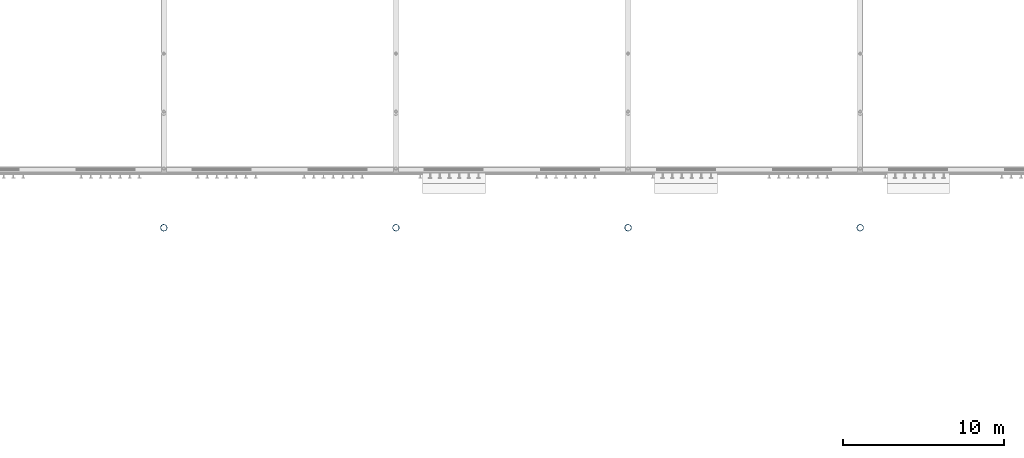
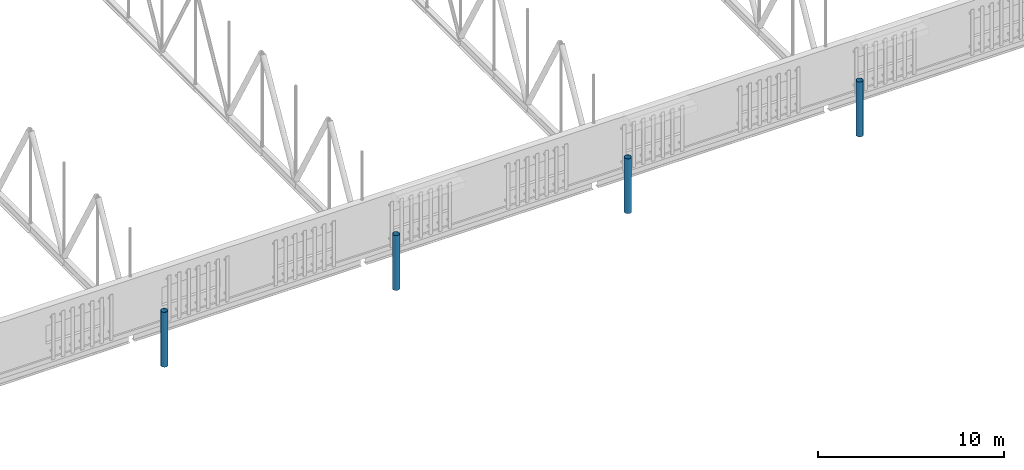
# One storey, part 15 of 142: 4 columns.
"""IFC4 building model written with IfcOpenShell, lengths in metres."""

from ifc_helpers import new_model, si_unit, direction, frame, origin, origin_2d, place, context, subcontext, project, spatial, hollow_circle, extrude, material, material_profile, profile_set, type_object, element, save


model = new_model("IFC4")

# Units and contexts
model_context = context("Model", 3, precision=1e-05, world=origin(), true_north=direction((0.0, 1.0)))
body_context = subcontext(model_context, "Body", "Model", "MODEL_VIEW")
ifc_project = project(units=[si_unit("LENGTHUNIT", "METRE"), si_unit("AREAUNIT", "SQUARE_METRE"), si_unit("VOLUMEUNIT", "CUBIC_METRE"), si_unit("PLANEANGLEUNIT", "RADIAN"), si_unit("MASSUNIT", "GRAM", prefix="KILO")], contexts=[model_context])

# Site, building, storey
site_placement = place(None, origin())
site = spatial("IfcSite", under=ifc_project, at=site_placement, CompositionType="ELEMENT")
building_placement = place(site_placement, origin())
building = spatial("IfcBuilding", under=site, at=building_placement, Name="Kupolbacken Congress Centre", CompositionType="ELEMENT")
storey_placement = place(building_placement, frame((0.0, 0.0, 14.39990234375)))
storey = spatial("IfcBuildingStorey", under=building, at=storey_placement, Name="L04", CompositionType="ELEMENT", Elevation=14.39990234375)

# Columns
ifc_material = material(Name="Steel S355", Category="steel")
ifc_material_profile = material_profile(ifc_material, hollow_circle(Radius=0.203125, WallThickness=0.01611328125, at=origin_2d()), Name="CHS 406.4 x 16")
ifc_profile_set = profile_set([ifc_material_profile], Name="Steel S355")
column_type = type_object("IfcColumnType", Name="C15 roof mast CHS 406.4 x 16", PredefinedType="COLUMN", material=ifc_profile_set)
for number, where, z_axis, x_axis, name in (
    (1, (136.800048828125, 39.60009765625, 0.0), (0.0, 0.0, 1.0), (1.0, 0.0, 0.0), "Roof mast M4S"),
    (2, (151.199951171875, 39.60009765625, 0.0), (0.0, 0.0, 1.0), (1.0, 0.0, 0.0), "Roof mast M5S"),
    (3, (165.60009765625, 39.60009765625, 0.0), (0.0, 0.0, 1.0), (1.0, 0.0, 0.0), "Roof mast M6S"),
    (4, (180.0, 39.60009765625, 0.0), (0.0, 0.0, 1.0), (1.0, 0.0, 0.0), "Roof mast M7S"),
):
    element("IfcColumn", number, at=place(storey_placement, frame(where, z_axis=z_axis, x_axis=x_axis)), inside=storey, type_object=column_type, Name=name, PredefinedType="COLUMN", context=body_context, shape_type="SweptSolid", body=[
        extrude(hollow_circle(Radius=0.203125, WallThickness=0.01611328125, at=origin_2d()), origin(), (0.0, 0.0, 1.0), 3.60009765625),
    ])

save(model, "model.ifc")
